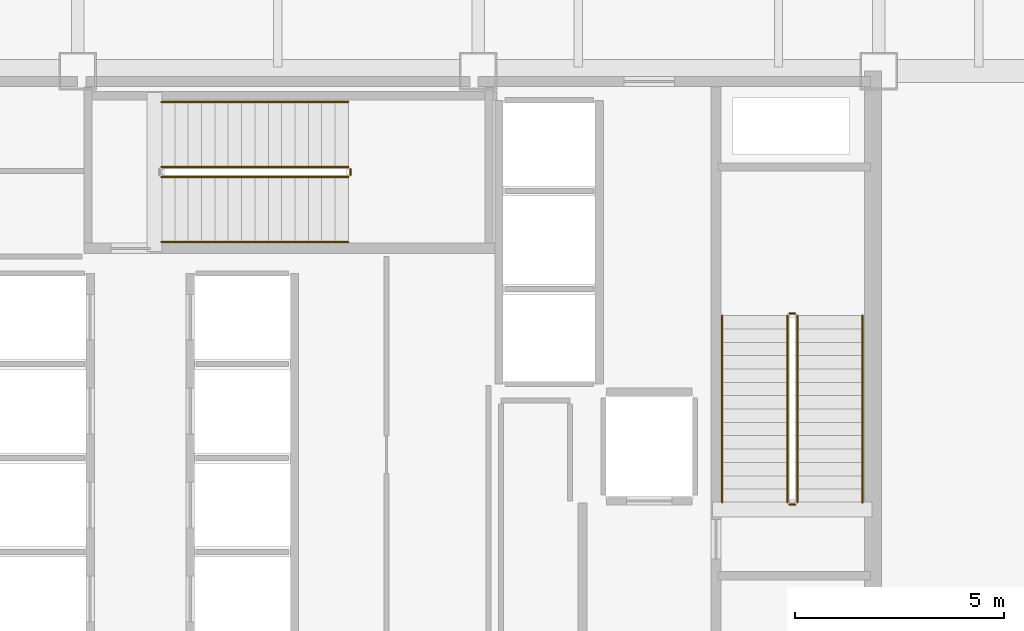
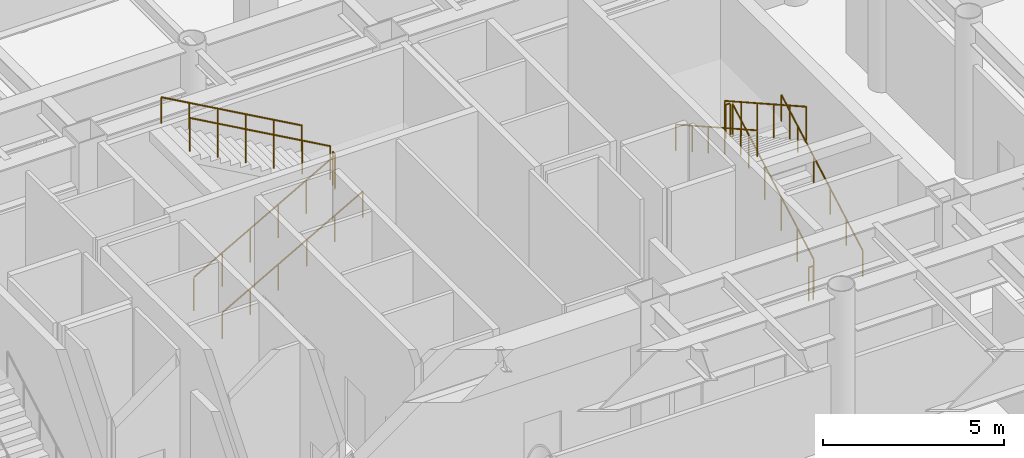
# One storey, part 19 of 20: 11 railings.
"""IFC4 building model written with IfcOpenShell, lengths in metres."""

from ifc_helpers import new_model, si_unit, direction, frame, origin, origin_2d, place, context, subcontext, project, spatial, circle, extrude, material, layer, layer_set, type_object, element, save


model = new_model("IFC4")

# Units and contexts
model_context = context("Model", 3, precision=1e-05, world=origin(), true_north=direction((0.0, 1.0)))
body_context = subcontext(model_context, "Body", "Model", "MODEL_VIEW")
ifc_project = project(units=[si_unit("LENGTHUNIT", "METRE"), si_unit("AREAUNIT", "SQUARE_METRE"), si_unit("VOLUMEUNIT", "CUBIC_METRE"), si_unit("PLANEANGLEUNIT", "RADIAN"), si_unit("MASSUNIT", "GRAM", prefix="KILO")], contexts=[model_context])

# Site, building, storey
site_placement = place(None, origin())
site = spatial("IfcSite", under=ifc_project, at=site_placement, CompositionType="ELEMENT")
building_placement = place(site_placement, origin())
building = spatial("IfcBuilding", under=site, at=building_placement, Name="Kallvorn Hotel Tower", CompositionType="ELEMENT")
storey_placement = place(building_placement, frame((0.0, 0.0, 24.60009765625)))
storey = spatial("IfcBuildingStorey", under=building, at=storey_placement, Name="L04", CompositionType="ELEMENT", Elevation=24.60009765625)

# Railings
ifc_material_1 = material(Name="Brushed stainless-steel tubular railing", Category="steel")
ifc_layer_1 = layer(ifc_material_1, 0.050048828125)
ifc_layer_set_1 = layer_set([ifc_layer_1], Name="RL_STAIR_GUARD")
railing_type_1 = type_object("IfcRailingType", Name="RL_STAIR_GUARD", PredefinedType="GUARDRAIL", material=ifc_layer_set_1)
railing_1_placement = place(storey_placement, frame((12.449951171875, -3.139892578125, 0.179931640625)))
element("IfcRailing", 1, at=railing_1_placement, inside=storey, type_object=railing_type_1, Name="L04 ST2 stair guard 1", PredefinedType="GUARDRAIL", context=body_context, shape_type="SweptSolid", body=[
    extrude(circle(Radius=0.02392578125, at=origin_2d()), frame((0.0, 0.0, 1.1259765625), z_axis=(0.0, 0.871573000172, 0.490265749743), x_axis=(-1.0, 0.0, 0.0)), (0.0, 0.0, 1.0), 5.14013671875),
    extrude(circle(Radius=0.02099609375, at=origin_2d()), origin(), (0.0, 0.0, 1.0), 1.101806640625),
    extrude(circle(Radius=0.02099609375, at=origin_2d()), frame((0.0, 0.89599609375, 0.50390625)), (0.0, 0.0, 1.0), 1.101806640625),
    extrude(circle(Radius=0.02099609375, at=origin_2d()), frame((0.0, 1.7919921875, 1.008056640625)), (0.0, 0.0, 1.0), 1.101806640625),
    extrude(circle(Radius=0.02099609375, at=origin_2d()), frame((0.0, 2.68798828125, 1.511962890625)), (0.0, 0.0, 1.0), 1.101806640625),
    extrude(circle(Radius=0.02099609375, at=origin_2d()), frame((0.0, 3.583984375, 2.01611328125)), (0.0, 0.0, 1.0), 1.101806640625),
    extrude(circle(Radius=0.02099609375, at=origin_2d()), frame((0.0, 4.47998046875, 2.52001953125)), (0.0, 0.0, 1.0), 1.101806640625),
])
railing_2_placement = place(storey_placement, frame((12.39990234375, 1.389892578125, 2.699951171875)))
element("IfcRailing", 2, at=railing_2_placement, inside=storey, type_object=railing_type_1, Name="L04 ST2 stair guard 2", PredefinedType="GUARDRAIL", context=body_context, shape_type="SweptSolid", body=[
    extrude(circle(Radius=0.02392578125, at=origin_2d()), frame((0.0, 0.0, 1.1259765625), z_axis=(-1.0, 0.0, 0.0), x_axis=(0.0, -1.0, 0.0)), (0.0, 0.0, 1.0), 0.139892578125),
    extrude(circle(Radius=0.02099609375, at=origin_2d()), origin(), (0.0, 0.0, 1.0), 1.101806640625),
    extrude(circle(Radius=0.02099609375, at=origin_2d()), frame((-0.139892578125, 0.0, 0.0)), (0.0, 0.0, 1.0), 1.101806640625),
])
railing_3_placement = place(storey_placement, frame((12.2099609375, 1.340087890625, 2.8798828125)))
element("IfcRailing", 3, at=railing_3_placement, inside=storey, type_object=railing_type_1, Name="L04 ST2 stair guard 3", PredefinedType="GUARDRAIL", context=body_context, shape_type="SweptSolid", body=[
    extrude(circle(Radius=0.02392578125, at=origin_2d()), frame((0.0, 0.0, 1.1259765625), z_axis=(0.0, -0.871573000172, 0.490265749743), x_axis=(1.0, 0.0, 0.0)), (0.0, 0.0, 1.0), 5.14013671875),
    extrude(circle(Radius=0.02099609375, at=origin_2d()), origin(), (0.0, 0.0, 1.0), 1.101806640625),
    extrude(circle(Radius=0.02099609375, at=origin_2d()), frame((0.0, -0.89599609375, 0.50390625)), (0.0, 0.0, 1.0), 1.101806640625),
    extrude(circle(Radius=0.02099609375, at=origin_2d()), frame((0.0, -1.7919921875, 1.008056640625)), (0.0, 0.0, 1.0), 1.101806640625),
    extrude(circle(Radius=0.02099609375, at=origin_2d()), frame((0.0, -2.68798828125, 1.511962890625)), (0.0, 0.0, 1.0), 1.101806640625),
    extrude(circle(Radius=0.02099609375, at=origin_2d()), frame((0.0, -3.583984375, 2.01611328125)), (0.0, 0.0, 1.0), 1.101806640625),
    extrude(circle(Radius=0.02099609375, at=origin_2d()), frame((0.0, -4.47998046875, 2.52001953125)), (0.0, 0.0, 1.0), 1.101806640625),
])
railing_4_placement = place(storey_placement, frame((12.39990234375, -3.18994140625, 0.0)))
element("IfcRailing", 4, at=railing_4_placement, inside=storey, type_object=railing_type_1, Name="L04 ST2 stair guard 4", PredefinedType="GUARDRAIL", context=body_context, shape_type="SweptSolid", body=[
    extrude(circle(Radius=0.02392578125, at=origin_2d()), frame((0.0, 0.0, 1.1259765625), z_axis=(-1.0, 0.0, 0.0), x_axis=(0.0, -1.0, 0.0)), (0.0, 0.0, 1.0), 0.139892578125),
    extrude(circle(Radius=0.02099609375, at=origin_2d()), origin(), (0.0, 0.0, 1.0), 1.101806640625),
    extrude(circle(Radius=0.02099609375, at=origin_2d()), frame((-0.139892578125, 0.0, 0.0)), (0.0, 0.0, 1.0), 1.101806640625),
])
railing_5_placement = place(storey_placement, frame((-2.7900390625, 4.659912109375, 0.179931640625)))
element("IfcRailing", 5, at=railing_5_placement, inside=storey, type_object=railing_type_1, Name="L04 ST3 stair guard 1", PredefinedType="GUARDRAIL", context=body_context, shape_type="SweptSolid", body=[
    extrude(circle(Radius=0.02392578125, at=origin_2d()), frame((0.0, 0.0, 1.1259765625), z_axis=(0.871573000172, 0.0, 0.490265749743), x_axis=(0.0, 1.0, 0.0)), (0.0, 0.0, 1.0), 5.14013671875),
    extrude(circle(Radius=0.02099609375, at=origin_2d()), origin(), (0.0, 0.0, 1.0), 1.101806640625),
    extrude(circle(Radius=0.02099609375, at=origin_2d()), frame((0.89599609375, 0.0, 0.50390625)), (0.0, 0.0, 1.0), 1.101806640625),
    extrude(circle(Radius=0.02099609375, at=origin_2d()), frame((1.7919921875, 0.0, 1.008056640625)), (0.0, 0.0, 1.0), 1.101806640625),
    extrude(circle(Radius=0.02099609375, at=origin_2d()), frame((2.68798828125, 0.0, 1.511962890625)), (0.0, 0.0, 1.0), 1.101806640625),
    extrude(circle(Radius=0.02099609375, at=origin_2d()), frame((3.583984375, 0.0, 2.01611328125)), (0.0, 0.0, 1.0), 1.101806640625),
    extrude(circle(Radius=0.02099609375, at=origin_2d()), frame((4.47998046875, 0.0, 2.52001953125)), (0.0, 0.0, 1.0), 1.101806640625),
])
railing_6_placement = place(storey_placement, frame((1.739990234375, 4.7099609375, 2.699951171875)))
element("IfcRailing", 6, at=railing_6_placement, inside=storey, type_object=railing_type_1, Name="L04 ST3 stair guard 2", PredefinedType="GUARDRAIL", context=body_context, shape_type="SweptSolid", body=[
    extrude(circle(Radius=0.02392578125, at=origin_2d()), frame((0.0, 0.0, 1.1259765625), z_axis=(0.0, 1.0, 0.0), x_axis=(-1.0, 0.0, 0.0)), (0.0, 0.0, 1.0), 0.14013671875),
    extrude(circle(Radius=0.02099609375, at=origin_2d()), origin(), (0.0, 0.0, 1.0), 1.101806640625),
    extrude(circle(Radius=0.02099609375, at=origin_2d()), frame((0.0, 0.14013671875, 0.0)), (0.0, 0.0, 1.0), 1.101806640625),
])
railing_7_placement = place(storey_placement, frame((1.68994140625, 4.89990234375, 2.8798828125)))
element("IfcRailing", 7, at=railing_7_placement, inside=storey, type_object=railing_type_1, Name="L04 ST3 stair guard 3", PredefinedType="GUARDRAIL", context=body_context, shape_type="SweptSolid", body=[
    extrude(circle(Radius=0.02392578125, at=origin_2d()), frame((0.0, 0.0, 1.1259765625), z_axis=(-0.871573000172, 0.0, 0.490265749743), x_axis=(0.0, -1.0, 0.0)), (0.0, 0.0, 1.0), 5.14013671875),
    extrude(circle(Radius=0.02099609375, at=origin_2d()), origin(), (0.0, 0.0, 1.0), 1.101806640625),
    extrude(circle(Radius=0.02099609375, at=origin_2d()), frame((-0.89599609375, 0.0, 0.50390625)), (0.0, 0.0, 1.0), 1.101806640625),
    extrude(circle(Radius=0.02099609375, at=origin_2d()), frame((-1.7919921875, 0.0, 1.008056640625)), (0.0, 0.0, 1.0), 1.101806640625),
    extrude(circle(Radius=0.02099609375, at=origin_2d()), frame((-2.68798828125, 0.0, 1.511962890625)), (0.0, 0.0, 1.0), 1.101806640625),
    extrude(circle(Radius=0.02099609375, at=origin_2d()), frame((-3.583984375, 0.0, 2.01611328125)), (0.0, 0.0, 1.0), 1.101806640625),
    extrude(circle(Radius=0.02099609375, at=origin_2d()), frame((-4.47998046875, 0.0, 2.52001953125)), (0.0, 0.0, 1.0), 1.101806640625),
])
ifc_material_2 = material(Name="Brushed stainless-steel tubular railing", Category="steel")
ifc_layer_2 = layer(ifc_material_2, 0.050048828125)
ifc_layer_set_2 = layer_set([ifc_layer_2], Name="RL_STAIR_HAND")
railing_type_2 = type_object("IfcRailingType", Name="RL_STAIR_HAND", PredefinedType="HANDRAIL", material=ifc_layer_set_2)
railing_8_placement = place(storey_placement, frame((14.010009765625, -3.139892578125, 0.179931640625)))
element("IfcRailing", 8, at=railing_8_placement, inside=storey, type_object=railing_type_2, Name="L04 ST2 stair handrail 1", PredefinedType="HANDRAIL", context=body_context, shape_type="SweptSolid", body=[
    extrude(circle(Radius=0.02392578125, at=origin_2d()), frame((0.0, 0.0, 0.8759765625), z_axis=(0.0, 0.871573000172, 0.490265749743), x_axis=(-1.0, 0.0, 0.0)), (0.0, 0.0, 1.0), 5.14013671875),
    extrude(circle(Radius=0.02099609375, at=origin_2d()), origin(), (0.0, 0.0, 1.0), 0.851806640625),
    extrude(circle(Radius=0.02099609375, at=origin_2d()), frame((0.0, 0.89599609375, 0.50390625)), (0.0, 0.0, 1.0), 0.851806640625),
    extrude(circle(Radius=0.02099609375, at=origin_2d()), frame((0.0, 1.7919921875, 1.008056640625)), (0.0, 0.0, 1.0), 0.851806640625),
    extrude(circle(Radius=0.02099609375, at=origin_2d()), frame((0.0, 2.68798828125, 1.511962890625)), (0.0, 0.0, 1.0), 0.851806640625),
    extrude(circle(Radius=0.02099609375, at=origin_2d()), frame((0.0, 3.583984375, 2.01611328125)), (0.0, 0.0, 1.0), 0.851806640625),
    extrude(circle(Radius=0.02099609375, at=origin_2d()), frame((0.0, 4.47998046875, 2.52001953125)), (0.0, 0.0, 1.0), 0.851806640625),
])
railing_9_placement = place(storey_placement, frame((10.64990234375, 1.340087890625, 2.8798828125)))
element("IfcRailing", 9, at=railing_9_placement, inside=storey, type_object=railing_type_2, Name="L04 ST2 stair handrail 2", PredefinedType="HANDRAIL", context=body_context, shape_type="SweptSolid", body=[
    extrude(circle(Radius=0.02392578125, at=origin_2d()), frame((0.0, 0.0, 0.8759765625), z_axis=(0.0, -0.871573000172, 0.490265749743), x_axis=(1.0, 0.0, 0.0)), (0.0, 0.0, 1.0), 5.14013671875),
    extrude(circle(Radius=0.02099609375, at=origin_2d()), origin(), (0.0, 0.0, 1.0), 0.851806640625),
    extrude(circle(Radius=0.02099609375, at=origin_2d()), frame((0.0, -0.89599609375, 0.50390625)), (0.0, 0.0, 1.0), 0.851806640625),
    extrude(circle(Radius=0.02099609375, at=origin_2d()), frame((0.0, -1.7919921875, 1.008056640625)), (0.0, 0.0, 1.0), 0.851806640625),
    extrude(circle(Radius=0.02099609375, at=origin_2d()), frame((0.0, -2.68798828125, 1.511962890625)), (0.0, 0.0, 1.0), 0.851806640625),
    extrude(circle(Radius=0.02099609375, at=origin_2d()), frame((0.0, -3.583984375, 2.01611328125)), (0.0, 0.0, 1.0), 0.851806640625),
    extrude(circle(Radius=0.02099609375, at=origin_2d()), frame((0.0, -4.47998046875, 2.52001953125)), (0.0, 0.0, 1.0), 0.851806640625),
])
railing_10_placement = place(storey_placement, frame((-2.7900390625, 3.10009765625, 0.179931640625)))
element("IfcRailing", 10, at=railing_10_placement, inside=storey, type_object=railing_type_2, Name="L04 ST3 stair handrail 1", PredefinedType="HANDRAIL", context=body_context, shape_type="SweptSolid", body=[
    extrude(circle(Radius=0.02392578125, at=origin_2d()), frame((0.0, 0.0, 0.8759765625), z_axis=(0.871573000172, 0.0, 0.490265749743), x_axis=(0.0, 1.0, 0.0)), (0.0, 0.0, 1.0), 5.14013671875),
    extrude(circle(Radius=0.02099609375, at=origin_2d()), origin(), (0.0, 0.0, 1.0), 0.851806640625),
    extrude(circle(Radius=0.02099609375, at=origin_2d()), frame((0.89599609375, 0.0, 0.50390625)), (0.0, 0.0, 1.0), 0.851806640625),
    extrude(circle(Radius=0.02099609375, at=origin_2d()), frame((1.7919921875, 0.0, 1.008056640625)), (0.0, 0.0, 1.0), 0.851806640625),
    extrude(circle(Radius=0.02099609375, at=origin_2d()), frame((2.68798828125, 0.0, 1.511962890625)), (0.0, 0.0, 1.0), 0.851806640625),
    extrude(circle(Radius=0.02099609375, at=origin_2d()), frame((3.583984375, 0.0, 2.01611328125)), (0.0, 0.0, 1.0), 0.851806640625),
    extrude(circle(Radius=0.02099609375, at=origin_2d()), frame((4.47998046875, 0.0, 2.52001953125)), (0.0, 0.0, 1.0), 0.851806640625),
])
railing_11_placement = place(storey_placement, frame((1.68994140625, 6.4599609375, 2.8798828125)))
element("IfcRailing", 11, at=railing_11_placement, inside=storey, type_object=railing_type_2, Name="L04 ST3 stair handrail 2", PredefinedType="HANDRAIL", context=body_context, shape_type="SweptSolid", body=[
    extrude(circle(Radius=0.02392578125, at=origin_2d()), frame((0.0, 0.0, 0.8759765625), z_axis=(-0.871573000172, 0.0, 0.490265749743), x_axis=(0.0, -1.0, 0.0)), (0.0, 0.0, 1.0), 5.14013671875),
    extrude(circle(Radius=0.02099609375, at=origin_2d()), origin(), (0.0, 0.0, 1.0), 0.851806640625),
    extrude(circle(Radius=0.02099609375, at=origin_2d()), frame((-0.89599609375, 0.0, 0.50390625)), (0.0, 0.0, 1.0), 0.851806640625),
    extrude(circle(Radius=0.02099609375, at=origin_2d()), frame((-1.7919921875, 0.0, 1.008056640625)), (0.0, 0.0, 1.0), 0.851806640625),
    extrude(circle(Radius=0.02099609375, at=origin_2d()), frame((-2.68798828125, 0.0, 1.511962890625)), (0.0, 0.0, 1.0), 0.851806640625),
    extrude(circle(Radius=0.02099609375, at=origin_2d()), frame((-3.583984375, 0.0, 2.01611328125)), (0.0, 0.0, 1.0), 0.851806640625),
    extrude(circle(Radius=0.02099609375, at=origin_2d()), frame((-4.47998046875, 0.0, 2.52001953125)), (0.0, 0.0, 1.0), 0.851806640625),
])

save(model, "model.ifc")
